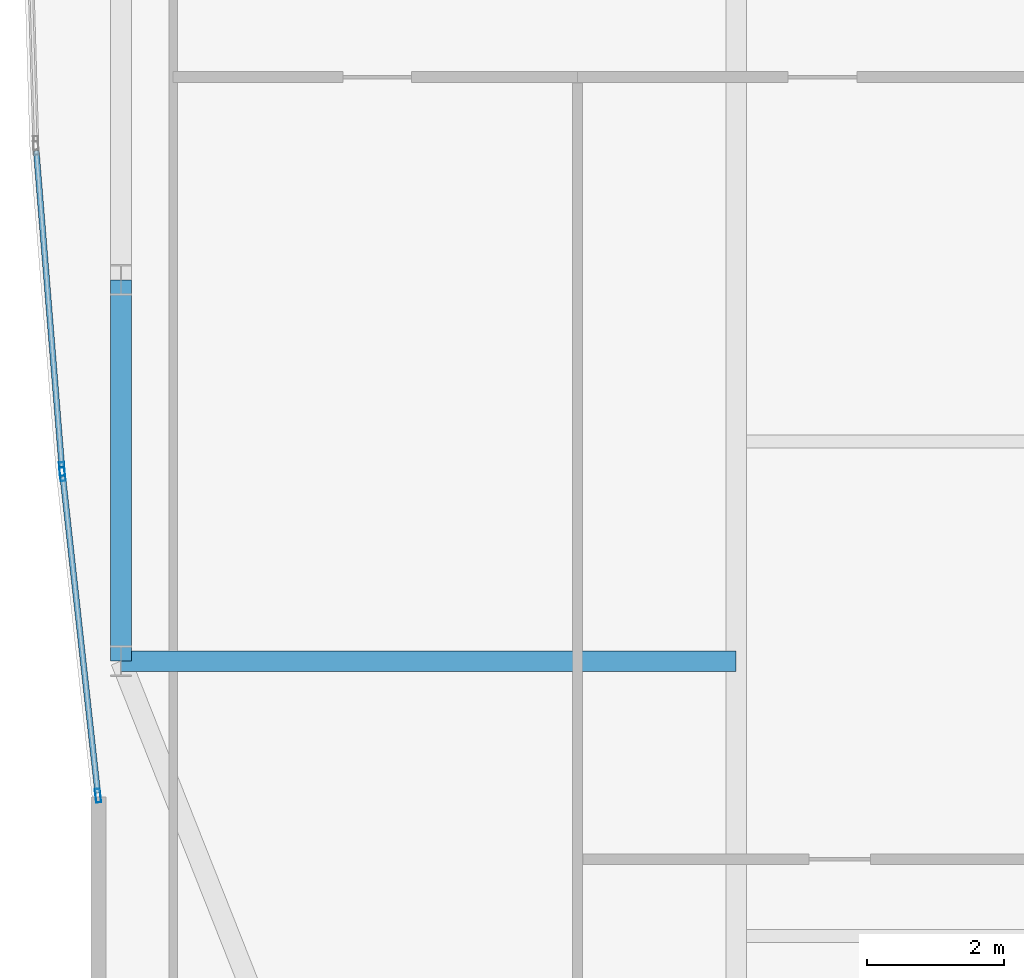
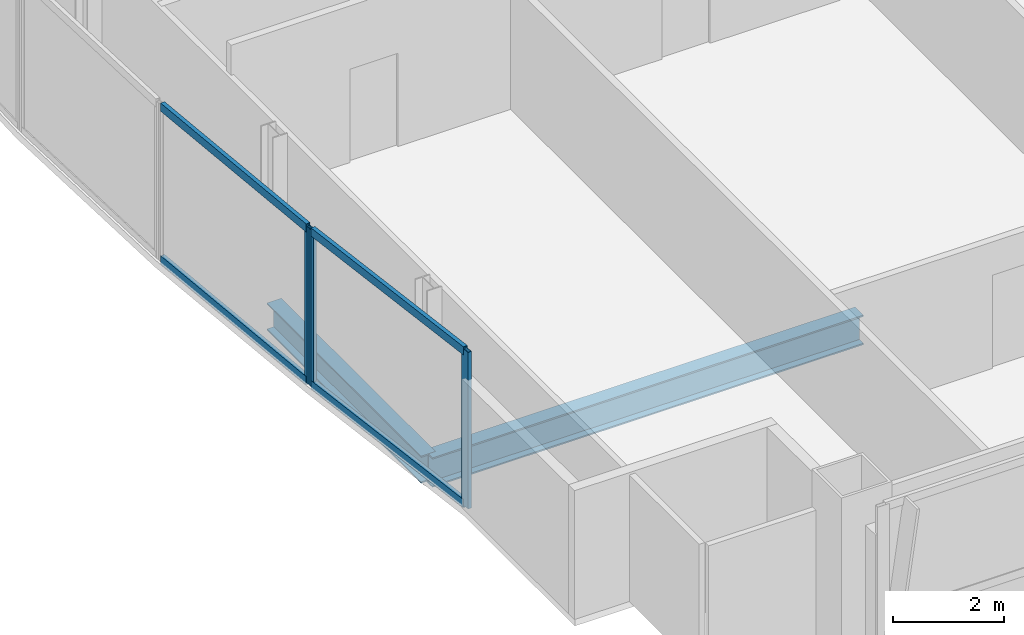
# One storey, part 6 of 29: 7 members, 2 beams, 2 elements without a shape of their own.
"""IFC4 building model written with IfcOpenShell, lengths in metres."""

from ifc_helpers import new_model, si_unit, direction, frame, origin, origin_2d, place, context, subcontext, project, spatial, hollow_rectangle, i_section, extrude, material, material_profile, profile_set, type_object, element, aggregate, save


model = new_model("IFC4")

# Units and contexts
model_context = context("Model", 3, precision=1e-05, world=origin(), true_north=direction((0.0, 1.0)))
body_context = subcontext(model_context, "Body", "Model", "MODEL_VIEW")
ifc_project = project(units=[si_unit("LENGTHUNIT", "METRE"), si_unit("AREAUNIT", "SQUARE_METRE"), si_unit("VOLUMEUNIT", "CUBIC_METRE"), si_unit("PLANEANGLEUNIT", "RADIAN"), si_unit("MASSUNIT", "GRAM", prefix="KILO")], contexts=[model_context])

# Site, building, storey
site_placement = place(None, origin())
site = spatial("IfcSite", under=ifc_project, at=site_placement, CompositionType="ELEMENT")
building_placement = place(site_placement, origin())
building = spatial("IfcBuilding", under=site, at=building_placement, Name="Khoronbel Lancet Exchange", CompositionType="ELEMENT")
storey_placement = place(building_placement, frame((0.0, 0.0, 246.199951171875)))
storey = spatial("IfcBuildingStorey", under=building, at=storey_placement, Name="L63", CompositionType="ELEMENT", Elevation=246.199951171875)

# Beams
ifc_material_1 = material(Name="Steel S355", Category="steel")
ifc_material_profile_1 = material_profile(ifc_material_1, i_section(OverallWidth=0.300048828125, OverallDepth=0.64990234375, WebThickness=0.01611328125, FlangeThickness=0.031005859375, at=origin_2d()), Name="HEB 650")
ifc_profile_set_1 = profile_set([ifc_material_profile_1], Name="Steel S355")
beam_type_1 = type_object("IfcBeamType", Name="BM-BG4", PredefinedType="BEAM", material=ifc_profile_set_1)
beam_1_placement = place(storey_placement, frame((9.27001953125, 19.199951171875, -0.48486328125), z_axis=(1.0, 0.0, 0.0), x_axis=(0.0, 1.0, 0.0)))
element("IfcBeam", 1, at=beam_1_placement, inside=storey, type_object=beam_type_1, Name="Level L63 west lens tie girder LG1W", PredefinedType="BEAM", context=body_context, shape_type="SweptSolid", body=[
    extrude(i_section(OverallWidth=0.300048828125, OverallDepth=0.64990234375, WebThickness=0.01611328125, FlangeThickness=0.031005859375, at=origin_2d()), origin(), (0.0, 0.0, 1.0), 8.955078125),
])
ifc_material_profile_2 = material_profile(ifc_material_1, i_section(OverallWidth=0.300048828125, OverallDepth=0.60009765625, WebThickness=0.015380859375, FlangeThickness=0.030029296875, at=origin_2d()), Name="HEB 600")
ifc_profile_set_2 = profile_set([ifc_material_profile_2], Name="Steel S355")
beam_type_2 = type_object("IfcBeamType", Name="BM-BSP2", PredefinedType="SPANDREL", material=ifc_profile_set_2)
beam_2_placement = place(storey_placement, frame((9.27001953125, 24.75, -0.4599609375), z_axis=(0.0, -1.0, 0.0), x_axis=(1.0, 0.0, 0.0)))
element("IfcBeam", 2, at=beam_2_placement, inside=storey, type_object=beam_type_2, Name="Level L63 perimeter spandrel beam SP20", PredefinedType="SPANDREL", context=body_context, shape_type="SweptSolid", body=[
    extrude(i_section(OverallWidth=0.300048828125, OverallDepth=0.60009765625, WebThickness=0.015380859375, FlangeThickness=0.030029296875, at=origin_2d()), origin(), (0.0, 0.0, 1.0), 5.550048828125),
])

# Curtain wall, members
ifc_material_2 = material(Name="Low-E Solar Control Insulating Glass", Category="glass")
curtain_wall_type = type_object("IfcCurtainWallType", Name="CW-4", PredefinedType="NOTDEFINED", material=ifc_material_2)
curtain_wall_1_placement = place(storey_placement, origin())
curtain_wall_1 = element("IfcCurtainWall", 3, at=curtain_wall_1_placement, inside=storey, type_object=curtain_wall_type, Name="Unitised curtain wall CW-L63-E04", PredefinedType="NOTDEFINED")
ifc_material_3 = material(Name="Bronze-Anodised Aluminium 6063-T6", Category="aluminium")
ifc_material_profile_3 = material_profile(ifc_material_3, hollow_rectangle(XDim=0.074951171875, YDim=0.199951171875, WallThickness=0.0048828125, at=origin_2d()), Name="ALU MULLION 75x200")
ifc_profile_set_3 = profile_set([ifc_material_profile_3], Name="Bronze-Anodised Aluminium 6063-T6")
member_type_1 = type_object("IfcMemberType", Name="MEM-CWM2", PredefinedType="MULLION", material=ifc_profile_set_3)
member_1_placement = place(storey_placement, frame((8.935791015625, 17.2421875, 0.0), z_axis=(0.0, 0.0, 1.0), x_axis=(-0.993947317123, -0.109857775256, 0.0)))
member_1 = element("IfcMember", 4, at=member_1_placement, type_object=member_type_1, Name="CW4 mullion 1", PredefinedType="MULLION", context=body_context, shape_type="SweptSolid", body=[
    extrude(hollow_rectangle(XDim=0.074951171875, YDim=0.199951171875, WallThickness=0.0048828125, at=origin_2d()), origin(), (0.0, 0.0, 1.0), 3.43994140625),
])
member_2_placement = place(storey_placement, frame((8.418701171875, 21.92138671875, 0.0), z_axis=(0.0, 0.0, 1.0), x_axis=(-0.993947317123, -0.109857775256, 0.0)))
member_2 = element("IfcMember", 5, at=member_2_placement, type_object=member_type_1, Name="CW4 mullion 2", PredefinedType="MULLION", context=body_context, shape_type="SweptSolid", body=[
    extrude(hollow_rectangle(XDim=0.074951171875, YDim=0.199951171875, WallThickness=0.0048828125, at=origin_2d()), origin(), (0.0, 0.0, 1.0), 3.43994140625),
])

# Curtain wall, member
curtain_wall_2_placement = place(storey_placement, origin())
curtain_wall_2 = element("IfcCurtainWall", 6, at=curtain_wall_2_placement, inside=storey, type_object=curtain_wall_type, Name="Unitised curtain wall CW-L63-E05", PredefinedType="NOTDEFINED")
member_3_placement = place(storey_placement, frame((8.41162109375, 21.99609375, 0.0), z_axis=(0.0, 0.0, 1.0), x_axis=(-0.996743296731, -0.080639943095, 0.0)))
member_3 = element("IfcMember", 7, at=member_3_placement, type_object=member_type_1, Name="CW4 mullion 1", PredefinedType="MULLION", context=body_context, shape_type="SweptSolid", body=[
    extrude(hollow_rectangle(XDim=0.074951171875, YDim=0.199951171875, WallThickness=0.0048828125, at=origin_2d()), origin(), (0.0, 0.0, 1.0), 3.43994140625),
])

# Member
ifc_material_profile_4 = material_profile(ifc_material_3, hollow_rectangle(XDim=0.0849609375, YDim=0.179931640625, WallThickness=0.0048828125, at=origin_2d()), Name="ALU TRANSOM 85x180")
ifc_profile_set_4 = profile_set([ifc_material_profile_4], Name="Bronze-Anodised Aluminium 6063-T6")
member_type_2 = type_object("IfcMemberType", Name="MEM-CWT1", PredefinedType="USERDEFINED", material=ifc_profile_set_4)
member_4_placement = place(storey_placement, frame((8.931640625, 17.279541015625, 0.04248046875), z_axis=(-0.109829937442, 0.993950393552, 0.0), x_axis=(-0.993950393552, -0.109829937442, 0.0)))
member_4 = element("IfcMember", 8, at=member_4_placement, type_object=member_type_2, Name="CW4 transom 1.1", ObjectType="TRANSOM", PredefinedType="USERDEFINED", context=body_context, shape_type="SweptSolid", body=[
    extrude(hollow_rectangle(XDim=0.0849609375, YDim=0.179931640625, WallThickness=0.0048828125, at=origin_2d()), origin(), (0.0, 0.0, 1.0), 4.632568359375),
])

member_5_placement = place(storey_placement, frame((8.931640625, 17.279541015625, 3.3974609375), z_axis=(-0.109829937442, 0.993950393552, 0.0), x_axis=(-0.993950393552, -0.109829937442, 0.0)))
member_5 = element("IfcMember", 9, at=member_5_placement, type_object=member_type_2, Name="CW4 transom 1.2", ObjectType="TRANSOM", PredefinedType="USERDEFINED", context=body_context, shape_type="SweptSolid", body=[
    extrude(hollow_rectangle(XDim=0.0849609375, YDim=0.179931640625, WallThickness=0.0048828125, at=origin_2d()), origin(), (0.0, 0.0, 1.0), 4.632568359375),
])

aggregate(curtain_wall_1, [member_1, member_2, member_4, member_5])

member_6_placement = place(storey_placement, frame((8.408447265625, 22.033447265625, 0.04248046875), z_axis=(-0.080626814238, 0.996744358813, 0.0), x_axis=(-0.996744358813, -0.080626814238, 0.0)))
member_6 = element("IfcMember", 10, at=member_6_placement, type_object=member_type_2, Name="CW4 transom 1.1", ObjectType="TRANSOM", PredefinedType="USERDEFINED", context=body_context, shape_type="SweptSolid", body=[
    extrude(hollow_rectangle(XDim=0.0849609375, YDim=0.179931640625, WallThickness=0.0048828125, at=origin_2d()), origin(), (0.0, 0.0, 1.0), 4.611572265625),
])

member_7_placement = place(storey_placement, frame((8.408447265625, 22.033447265625, 3.3974609375), z_axis=(-0.080626814238, 0.996744358813, 0.0), x_axis=(-0.996744358813, -0.080626814238, 0.0)))
member_7 = element("IfcMember", 11, at=member_7_placement, type_object=member_type_2, Name="CW4 transom 1.2", ObjectType="TRANSOM", PredefinedType="USERDEFINED", context=body_context, shape_type="SweptSolid", body=[
    extrude(hollow_rectangle(XDim=0.0849609375, YDim=0.179931640625, WallThickness=0.0048828125, at=origin_2d()), origin(), (0.0, 0.0, 1.0), 4.611572265625),
])

aggregate(curtain_wall_2, [member_3, member_6, member_7])

save(model, "model.ifc")
